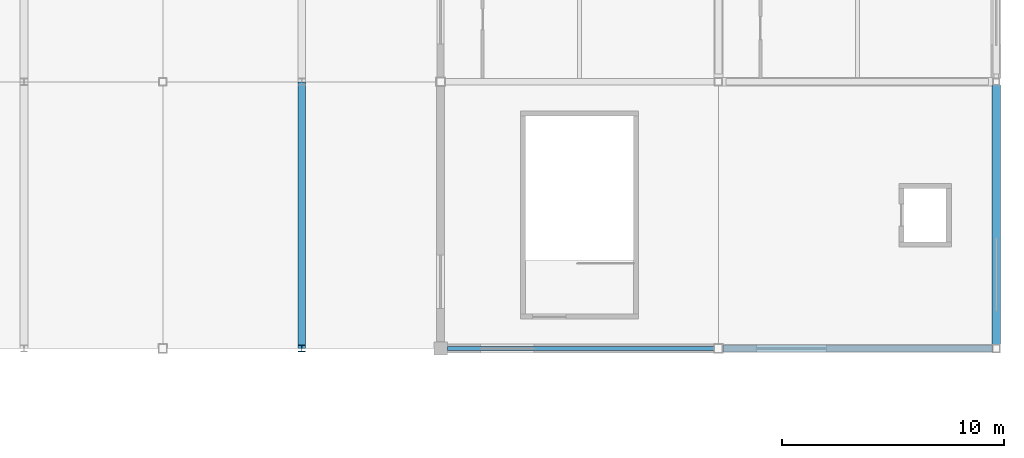
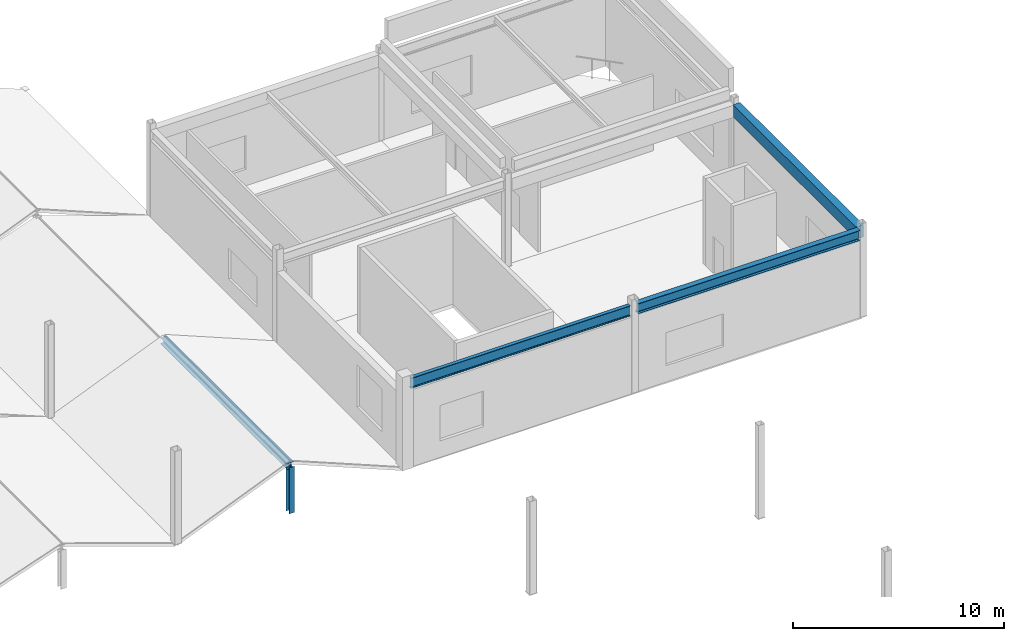
# One storey, part 39 of 76: 3 beams, 2 members.
"""IFC4 building model written with IfcOpenShell, lengths in metres."""

from ifc_helpers import new_model, si_unit, direction, frame, origin, origin_2d, place, context, subcontext, project, spatial, rectangle, i_section, extrude, material, material_profile, profile_set, type_object, element, save


model = new_model("IFC4")

# Units and contexts
model_context = context("Model", 3, precision=1e-05, world=origin(), true_north=direction((0.0, 1.0)))
body_context = subcontext(model_context, "Body", "Model", "MODEL_VIEW")
ifc_project = project(units=[si_unit("LENGTHUNIT", "METRE"), si_unit("AREAUNIT", "SQUARE_METRE"), si_unit("VOLUMEUNIT", "CUBIC_METRE"), si_unit("PLANEANGLEUNIT", "RADIAN"), si_unit("MASSUNIT", "GRAM", prefix="KILO")], contexts=[model_context])

# Site, building, storey
site_placement = place(None, origin())
site = spatial("IfcSite", under=ifc_project, at=site_placement, CompositionType="ELEMENT")
building_placement = place(site_placement, origin())
building = spatial("IfcBuilding", under=site, at=building_placement, Name="Kazenohara Klinker Stadium", CompositionType="ELEMENT")
storey_placement = place(building_placement, frame((0.0, 0.0, 25.800048828125)))
storey = spatial("IfcBuildingStorey", under=building, at=storey_placement, Name="L05", CompositionType="ELEMENT", Elevation=25.800048828125)

# Beams
ifc_material_1 = material(Name="Concrete C40/50", Category="concrete")
ifc_material_profile_1 = material_profile(ifc_material_1, rectangle(XDim=0.39990234375, YDim=0.699951171875, at=origin_2d()), Name="RC-BM-400x700")
ifc_profile_set_1 = profile_set([ifc_material_profile_1], Name="Concrete C40/50")
beam_type_1 = type_object("IfcBeamType", Name="BM-RC04", PredefinedType="BEAM", material=ifc_profile_set_1)
beam_1_placement = place(storey_placement, frame((200.0, 132.175048828125, 4.68994140625), z_axis=(0.0, 1.0, 0.0), x_axis=(-1.0, 0.0, 0.0)))
element("IfcBeam", 1, at=beam_1_placement, inside=storey, type_object=beam_type_1, Name="Primary girder BG04 L05 17/M-N", PredefinedType="BEAM", context=body_context, shape_type="SweptSolid", body=[
    extrude(rectangle(XDim=0.39990234375, YDim=0.699951171875, at=origin_2d()), origin(), (0.0, 0.0, 1.0), 11.675048828125),
])
ifc_material_2 = material(Name="Steel S355", Category="steel")
ifc_material_profile_2 = material_profile(ifc_material_2, i_section(OverallWidth=0.199951171875, OverallDepth=0.60009765625, WebThickness=0.010986328125, FlangeThickness=0.01708984375, FilletRadius=0.012939453125, at=origin_2d()), Name="H-600x200x11x17")
ifc_profile_set_2 = profile_set([ifc_material_profile_2], Name="Steel S355")
beam_type_2 = type_object("IfcBeamType", Name="BM-ST04", PredefinedType="BEAM", material=ifc_profile_set_2)
beam_2_placement = place(storey_placement, frame((175.300048828125, 132.0, 4.739990234375), z_axis=(1.0, 0.0, 0.0), x_axis=(0.0, 1.0, 0.0)))
element("IfcBeam", 2, at=beam_2_placement, inside=storey, type_object=beam_type_2, Name="Primary girder SB04 L05 15-16/M", PredefinedType="BEAM", context=body_context, shape_type="SweptSolid", body=[
    extrude(i_section(OverallWidth=0.199951171875, OverallDepth=0.60009765625, WebThickness=0.010986328125, FlangeThickness=0.01708984375, FilletRadius=0.012939453125, at=origin_2d()), origin(), (0.0, 0.0, 1.0), 12.0),
])
ifc_material_profile_3 = material_profile(ifc_material_2, i_section(OverallWidth=0.300048828125, OverallDepth=0.587890625, WebThickness=0.011962890625, FlangeThickness=0.02001953125, FilletRadius=0.02197265625, at=origin_2d()), Name="H-588x300x12x20")
ifc_profile_set_3 = profile_set([ifc_material_profile_3], Name="Steel S355")
beam_type_3 = type_object("IfcBeamType", Name="BM-ST05", PredefinedType="BEAM", material=ifc_profile_set_3)
beam_3_placement = place(storey_placement, frame((187.699951171875, 132.0, 4.745849609375), z_axis=(1.0, 0.0, 0.0), x_axis=(0.0, 1.0, 0.0)))
element("IfcBeam", 3, at=beam_3_placement, inside=storey, type_object=beam_type_3, Name="Primary girder SB05 L05 16-17/M", PredefinedType="BEAM", context=body_context, shape_type="SweptSolid", body=[
    extrude(i_section(OverallWidth=0.300048828125, OverallDepth=0.587890625, WebThickness=0.011962890625, FlangeThickness=0.02001953125, FilletRadius=0.02197265625, at=origin_2d()), origin(), (0.0, 0.0, 1.0), 12.125),
])

# Members
ifc_material_profile_4 = material_profile(ifc_material_2, i_section(OverallWidth=0.35009765625, OverallDepth=0.35009765625, WebThickness=0.011962890625, FlangeThickness=0.01904296875, FilletRadius=0.012939453125, at=origin_2d()), Name="H-350x350x12x19")
ifc_profile_set_4 = profile_set([ifc_material_profile_4], Name="Steel S355")
member_type_1 = type_object("IfcMemberType", Name="MEM-CHD02", PredefinedType="CHORD", material=ifc_profile_set_4)
member_1_placement = place(storey_placement, frame((168.75, 132.0, 2.22998046875), z_axis=(0.0, 1.0, 0.0), x_axis=(-1.0, 0.0, 0.0)))
element("IfcMember", 4, at=member_1_placement, inside=storey, type_object=member_type_1, Name="Stepped pavilion gable ridge beam L05 14/M", PredefinedType="CHORD", context=body_context, shape_type="SweptSolid", body=[
    extrude(i_section(OverallWidth=0.35009765625, OverallDepth=0.35009765625, WebThickness=0.011962890625, FlangeThickness=0.01904296875, FilletRadius=0.012939453125, at=origin_2d()), origin(), (0.0, 0.0, 1.0), 12.0),
])
ifc_material_profile_5 = material_profile(ifc_material_2, i_section(OverallWidth=0.300048828125, OverallDepth=0.300048828125, WebThickness=0.010009765625, FlangeThickness=0.014892578125, FilletRadius=0.012939453125, at=origin_2d()), Name="H-300x300x10x15")
ifc_profile_set_5 = profile_set([ifc_material_profile_5], Name="Steel S355")
member_type_2 = type_object("IfcMemberType", Name="MEM-STR01", PredefinedType="STRUT", material=ifc_profile_set_5)
member_2_placement = place(storey_placement, frame((168.75, 132.0, -0.429931640625), z_axis=(0.0, 0.0, 1.0), x_axis=(1.0, 0.0, 0.0)))
element("IfcMember", 5, at=member_2_placement, inside=storey, type_object=member_type_2, Name="Stepped pavilion gable king-post L05 14/M S", PredefinedType="STRUT", context=body_context, shape_type="SweptSolid", body=[
    extrude(i_section(OverallWidth=0.300048828125, OverallDepth=0.300048828125, WebThickness=0.010009765625, FlangeThickness=0.014892578125, FilletRadius=0.012939453125, at=origin_2d()), origin(), (0.0, 0.0, 1.0), 2.659912109375),
])

save(model, "model.ifc")
